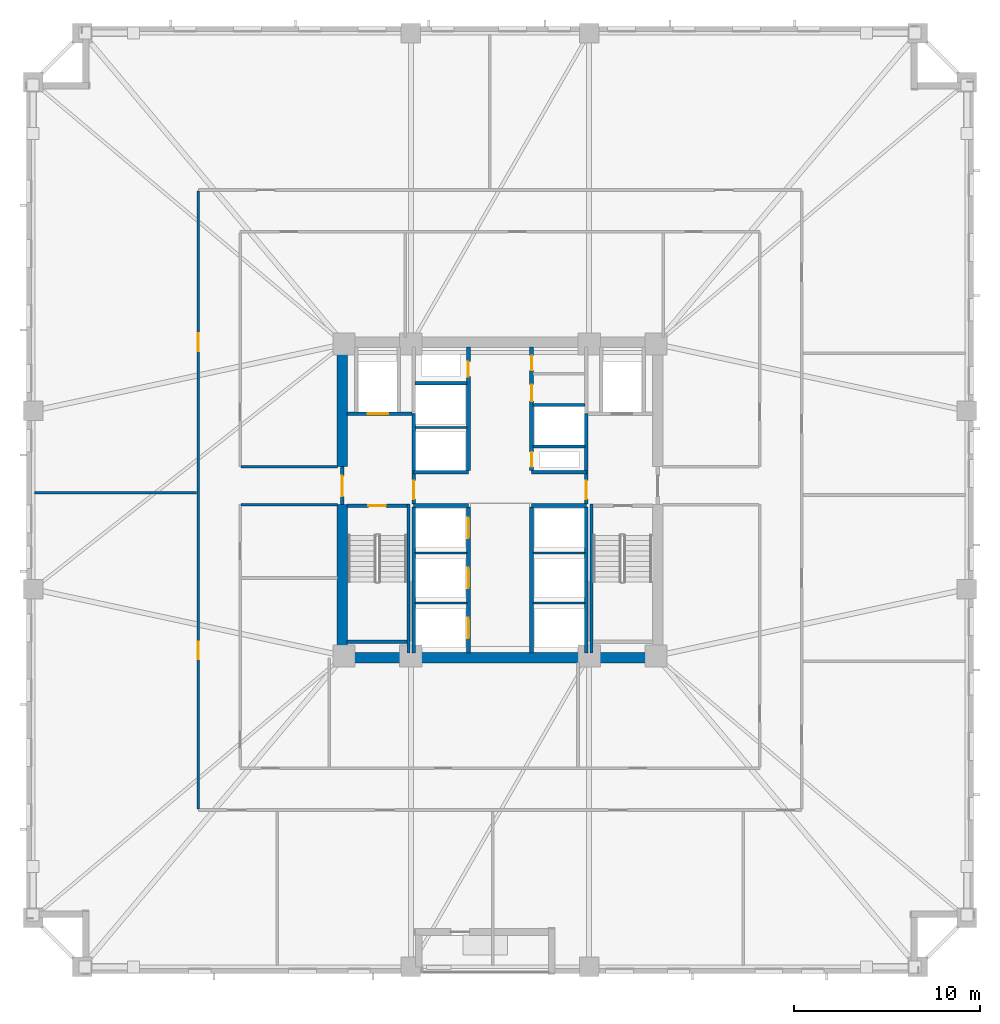
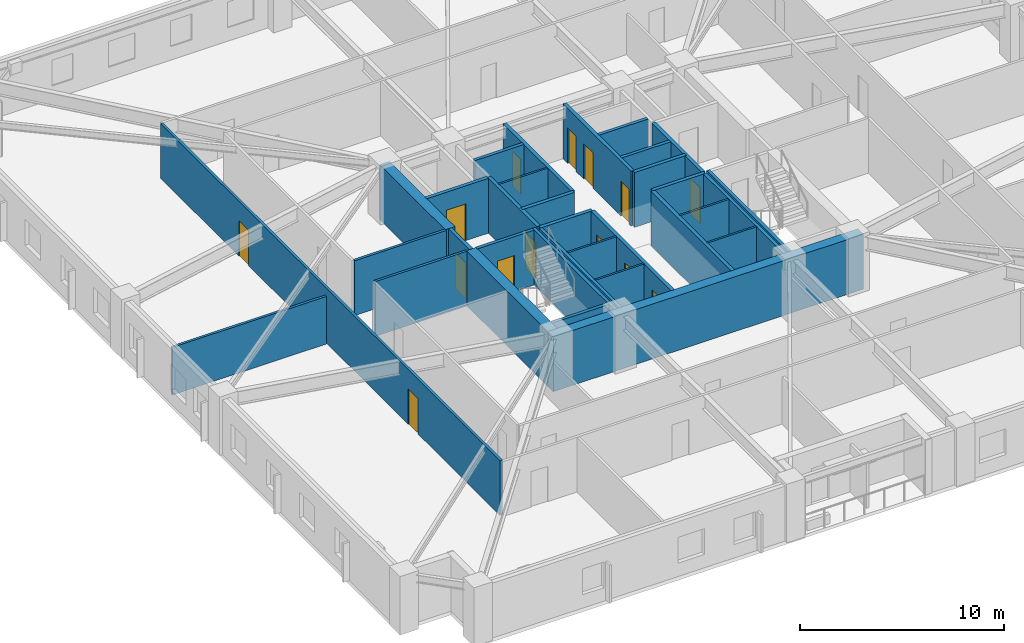
# One storey, part 3 of 11: 33 walls, 14 doors, 14 openings.
"""IFC4 building model written with IfcOpenShell, lengths in metres."""

import ifcopenshell
import ifcopenshell.guid

model = None  # the IFC model being written
_history = None  # IfcOwnerHistory: only IFC2X3 demands one
_inside = {}  # id of a spatial element -> (the spatial element, [elements in it])
_under = {}  # id of a project, library or spatial element -> (it, [spatial elements below it])
_declared = {}  # id of a project -> (the project, [libraries it declares])
_typed = {}  # id of a type object -> (the type object, [elements of that type])
_made_of = {}  # id of a material, layer set ... -> (it, [elements and type objects made of it])


def new_model(schema):
    """Start an empty IFC model of exactly this schema.

    Asked for "IFC4X3", IfcOpenShell would pick the latest addendum, in which some entities
    have other attributes; the version numbers below select the first issue.
    IFC2X3 requires an IfcOwnerHistory on every rooted entity: one is made here for all.
    """
    global model, _history
    if schema == "IFC4X3":
        model = ifcopenshell.file(schema_version=(4, 3, 0, 0))
    else:
        model = ifcopenshell.file(schema=schema)
    _inside.clear()
    _under.clear()
    _declared.clear()
    _typed.clear()
    _made_of.clear()
    _history = None
    if model.schema == "IFC2X3":
        org = make("IfcOrganization", Name="unknown")
        user = make(
            "IfcPersonAndOrganization",
            ThePerson=make("IfcPerson", FamilyName="unknown"),
            TheOrganization=org,
        )
        app = make(
            "IfcApplication",
            ApplicationDeveloper=org,
            Version="unknown",
            ApplicationFullName="unknown",
            ApplicationIdentifier="unknown",
        )
        _history = make(
            "IfcOwnerHistory",
            OwningUser=user,
            OwningApplication=app,
            ChangeAction="ADDED",
            CreationDate=0,
        )
    return model


def make(cls, **values):
    """One entity of the class cls with the attributes given. An attribute that is None is left unset."""
    return model.create_entity(
        cls, **{name: value for name, value in values.items() if value is not None}
    )


def rooted(cls, **values):
    """An entity with a GlobalId (a new one), such as an element, a storey or a relation."""
    return make(cls, GlobalId=ifcopenshell.guid.new(), OwnerHistory=_history, **values)


def si_unit(unit_type, name, prefix=None):
    """IfcSIUnit, for example si_unit("LENGTHUNIT", "METRE", prefix="MILLI")."""
    return make("IfcSIUnit", UnitType=unit_type, Prefix=prefix, Name=name)


def assignment(units):
    """IfcUnitAssignment: the units of a project."""
    return None if units is None else make("IfcUnitAssignment", Units=units)


def point(xyz):
    """IfcCartesianPoint."""
    return None if xyz is None else make("IfcCartesianPoint", Coordinates=xyz)


def direction(xyz):
    """IfcDirection."""
    return None if xyz is None else make("IfcDirection", DirectionRatios=xyz)


def frame(location, z_axis=None, x_axis=None):
    """IfcAxis2Placement3D, a coordinate frame: its origin and axes. An axis left out is left unset."""
    return make(
        "IfcAxis2Placement3D",
        Location=point(location),
        Axis=direction(z_axis),
        RefDirection=direction(x_axis),
    )


def frame_2d(location, x_axis=None):
    """IfcAxis2Placement2D, a coordinate frame in the plane: its origin and x axis."""
    return make(
        "IfcAxis2Placement2D", Location=point(location), RefDirection=direction(x_axis)
    )


def origin():
    """The frame at (0, 0, 0) with its axes left unset."""
    return frame((0.0, 0.0, 0.0))


def place(relative_to, where):
    """IfcLocalPlacement: puts the frame where relative to a parent placement (None: the world)."""
    return make(
        "IfcLocalPlacement", PlacementRelTo=relative_to, RelativePlacement=where
    )


def context(
    kind, dimensions, precision=None, world=None, true_north=None, identifier=None
):
    """IfcGeometricRepresentationContext, for example the 3D "Model" context."""
    return make(
        "IfcGeometricRepresentationContext",
        ContextIdentifier=identifier,
        ContextType=kind,
        CoordinateSpaceDimension=dimensions,
        Precision=precision,
        WorldCoordinateSystem=world,
        TrueNorth=true_north,
    )


def subcontext(parent, identifier, kind, view, scale=None):
    """IfcGeometricRepresentationSubContext, for example "Body" below "Model"."""
    return make(
        "IfcGeometricRepresentationSubContext",
        ContextIdentifier=identifier,
        ContextType=kind,
        ParentContext=parent,
        TargetScale=scale,
        TargetView=view,
    )


def project(units=None, contexts=None):
    """IfcProject with its units and contexts."""
    return rooted(
        "IfcProject",
        Name="project",
        RepresentationContexts=contexts,
        UnitsInContext=assignment(units),
    )


def spatial(cls, under=None, at=None, **own):
    """A site, building, storey or space (cls), placed at a placement, below another one or the project."""
    s = rooted(cls, ObjectPlacement=at, **own)
    if under is not None:
        _under.setdefault(under.id(), (under, []))[1].append(s)
    return s


def profile(cls, at=None, kind="AREA", **sizes):
    """A parametric profile (cls). Its sizes go by their IFC names, for example OverallWidth=200.0."""
    return make(cls, ProfileType=kind, Position=at, **sizes)


def rectangle(**sizes):
    """IfcRectangleProfileDef."""
    return profile("IfcRectangleProfileDef", **sizes)


def extrude(swept, where, along, depth):
    """IfcExtrudedAreaSolid: the profile swept, set in the frame where, extruded along a direction by depth."""
    return make(
        "IfcExtrudedAreaSolid",
        SweptArea=swept,
        Position=where,
        ExtrudedDirection=direction(along),
        Depth=depth,
    )


def shape(context_of_items, identifier, shape_type, items):
    """IfcShapeRepresentation: the items that make up one representation, for example the "Body"."""
    return make(
        "IfcShapeRepresentation",
        ContextOfItems=context_of_items,
        RepresentationIdentifier=identifier,
        RepresentationType=shape_type,
        Items=items,
    )


def material(Name=None, Category=None):
    """IfcMaterial."""
    return make("IfcMaterial", Name=Name, Category=Category)


def layer(
    of_material, thickness, ventilated=None, Name=None, Category=None, Priority=None
):
    """IfcMaterialLayer: one layer of a wall or slab, of a material (None: an air gap)."""
    return make(
        "IfcMaterialLayer",
        Material=of_material,
        LayerThickness=thickness,
        IsVentilated=ventilated,
        Name=Name,
        Category=Category,
        Priority=Priority,
    )


def layer_set(layers, Name=None):
    """IfcMaterialLayerSet."""
    return make("IfcMaterialLayerSet", MaterialLayers=layers, LayerSetName=Name)


def made_of(thing, what):
    """Note that an element or type object is made of a material, layer set ...; save() writes the relation."""
    if what is not None:
        _made_of.setdefault(what.id(), (what, []))[1].append(thing)
    return thing


def type_object(cls, material=None, **own):
    """A type object (cls), such as IfcWallType, which elements share."""
    return made_of(rooted(cls, **own), material)


def element(
    cls,
    number,
    at=None,
    inside=None,
    cuts=None,
    type_object=None,
    material=None,
    context=None,
    identifier="Body",
    shape_type=None,
    held_by="IfcProductDefinitionShape",
    body=None,
    shapes=None,
    **own,
):
    """One element of the class cls, such as IfcWall. Its Tag is "e" and its number.

    at: its placement. inside: the storey or other place that contains it. cuts: it is an
    opening in that element (IfcRelVoidsElement). A single representation is given by context,
    identifier, shape_type and body (its items); several are given by shapes. held_by: the class
    of the entity that holds the representations. save() writes the other relations.
    """
    e = rooted(cls, Tag="e%d" % number, ObjectPlacement=at, **own)
    if body is not None:
        shapes = [shape(context, identifier, shape_type, body)]
    if shapes is not None:
        e.Representation = make(held_by, Representations=shapes)
    if inside is not None:
        _inside.setdefault(inside.id(), (inside, []))[1].append(e)
    if cuts is not None:
        rooted(
            "IfcRelVoidsElement", RelatingBuildingElement=cuts, RelatedOpeningElement=e
        )
    if type_object is not None:
        _typed.setdefault(type_object.id(), (type_object, []))[1].append(e)
    return made_of(e, material)


def fill(opening, filler):
    """IfcRelFillsElement: the door or window that sits in an opening."""
    return rooted(
        "IfcRelFillsElement",
        RelatingOpeningElement=opening,
        RelatedBuildingElement=filler,
    )


def aggregate(whole, parts):
    """IfcRelAggregates: a whole, such as a stair, and the parts it consists of."""
    return rooted("IfcRelAggregates", RelatingObject=whole, RelatedObjects=parts)


def save(model, path):
    """Write the relations noted so far, then the file.

    IfcRelAggregates (storeys below a building ...), IfcRelContainedInSpatialStructure (elements
    in a storey), IfcRelDefinesByType, IfcRelAssociatesMaterial and IfcRelDeclares: one each for
    every whole, place, type object, material and project.
    """
    for whole, parts in _under.values():
        aggregate(whole, parts)
    for where, things in _inside.values():
        rooted(
            "IfcRelContainedInSpatialStructure",
            RelatedElements=things,
            RelatingStructure=where,
        )
    for kind, things in _typed.values():
        rooted("IfcRelDefinesByType", RelatedObjects=things, RelatingType=kind)
    for what, things in _made_of.values():
        rooted("IfcRelAssociatesMaterial", RelatedObjects=things, RelatingMaterial=what)
    for by, libraries in _declared.values():
        rooted("IfcRelDeclares", RelatingContext=by, RelatedDefinitions=libraries)
    model.write(path)


model = new_model("IFC4")

# Units and contexts
model_context = context("Model", 3, precision=1e-05, world=origin(), true_north=direction((0.0, 1.0)))
body_context = subcontext(model_context, "Body", "Model", "MODEL_VIEW")
ifc_project = project(units=[si_unit("LENGTHUNIT", "METRE"), si_unit("AREAUNIT", "SQUARE_METRE"), si_unit("VOLUMEUNIT", "CUBIC_METRE"), si_unit("PLANEANGLEUNIT", "RADIAN"), si_unit("MASSUNIT", "GRAM", prefix="KILO")], contexts=[model_context])

# Site, building, storey
site_placement = place(None, origin())
site = spatial("IfcSite", under=ifc_project, at=site_placement, CompositionType="ELEMENT")
building_placement = place(site_placement, origin())
building = spatial("IfcBuilding", under=site, at=building_placement, Name="Cairnveth Concourse Tower", CompositionType="ELEMENT")
storey_placement = place(building_placement, frame((0.0, 0.0, 34.0)))
storey = spatial("IfcBuildingStorey", under=building, at=storey_placement, Name="L08", CompositionType="ELEMENT", Elevation=34.0)

# Walls
ifc_material_1 = material(Name="Concrete N80 (80 MPa)", Category="concrete")
ifc_layer_1 = layer(ifc_material_1, 0.550048828125)
ifc_layer_set_1 = layer_set([ifc_layer_1], Name="Concrete N80 (80 MPa)")
wall_type_1 = type_object("IfcWallType", Name="CORE SHEAR WALL 550", PredefinedType="SHEAR", material=ifc_layer_set_1)
wall_1_placement = place(storey_placement, frame((43.22509765625, 30.5, 0.0), z_axis=(0.0, 0.0, 1.0), x_axis=(1.0, 0.0, 0.0)))
element("IfcWall", 1, at=wall_1_placement, inside=storey, type_object=wall_type_1, Name="Core South Shear Wall L08", PredefinedType="SHEAR", context=body_context, shape_type="SweptSolid", body=[
    extrude(rectangle(XDim=17.5498046875, YDim=0.550048828125, at=frame_2d((8.77490234375, 0.0))), origin(), (0.0, 0.0, 1.0), 3.280029296875),
])
wall_2_placement = place(storey_placement, frame((43.5, 30.764892578125, 0.0), z_axis=(0.0, 0.0, 1.0), x_axis=(0.0, 1.0, 0.0)))
element("IfcWall", 2, at=wall_2_placement, inside=storey, type_object=wall_type_1, Name="Core West Shear Wall S L08", PredefinedType="SHEAR", context=body_context, shape_type="SweptSolid", body=[
    extrude(rectangle(XDim=7.985107421875, YDim=0.550048828125, at=frame_2d((3.99267578125, 0.0))), origin(), (0.0, 0.0, 1.0), 3.280029296875),
])
wall_3_placement = place(storey_placement, frame((43.5, 40.800048828125, 0.0), z_axis=(0.0, 0.0, 1.0), x_axis=(0.0, 1.0, 0.0)))
element("IfcWall", 3, at=wall_3_placement, inside=storey, type_object=wall_type_1, Name="Core West Shear Wall N L08", PredefinedType="SHEAR", context=body_context, shape_type="SweptSolid", body=[
    extrude(rectangle(XDim=6.43505859375, YDim=0.550048828125, at=frame_2d((3.217529296875, 0.0))), origin(), (0.0, 0.0, 1.0), 3.280029296875),
])
ifc_material_2 = material(Name="Concrete N50 (50 MPa)", Category="concrete")
ifc_layer_2 = layer(ifc_material_2, 0.179931640625)
ifc_layer_set_2 = layer_set([ifc_layer_2], Name="Concrete N50 (50 MPa)")
wall_type_2 = type_object("IfcWallType", Name="FIRE SHAFT WALL 180", PredefinedType="SOLIDWALL", material=ifc_layer_set_2)
for number, where, z_axis, x_axis, name in (
    (4, (47.35009765625, 30.760009765625, 0.0), (0.0, 0.0, 1.0), (0.0, 1.0, 0.0), "Interior Wall IW-L08-025"),
    (5, (56.64990234375, 30.760009765625, 0.0), (0.0, 0.0, 1.0), (0.0, 1.0, 0.0), "Interior Wall IW-L08-028"),
):
    element("IfcWall", number, at=place(storey_placement, frame(where, z_axis=z_axis, x_axis=x_axis)), inside=storey, type_object=wall_type_2, Name=name, PredefinedType="SOLIDWALL", context=body_context, shape_type="SweptSolid", body=[
        extrude(rectangle(XDim=7.85498046875, YDim=0.179931640625, at=frame_2d((3.927490234375, 0.0))), origin(), (0.0, 0.0, 1.0), 3.280029296875),
    ])
wall_4_placement = place(storey_placement, frame((47.425048828125, 45.280029296875, 0.0), z_axis=(0.0, 0.0, 1.0), x_axis=(1.0, 0.0, 0.0)))
element("IfcWall", 6, at=wall_4_placement, inside=storey, type_object=wall_type_2, Name="Interior Wall IW-L08-033", PredefinedType="SOLIDWALL", context=body_context, shape_type="SweptSolid", body=[
    extrude(rectangle(XDim=2.7900390625, YDim=0.179931640625, at=frame_2d((1.39501953125, 0.0))), origin(), (0.0, 0.0, 1.0), 3.280029296875),
])
wall_5_placement = place(storey_placement, frame((53.784912109375, 41.8798828125, 0.0), z_axis=(0.0, 0.0, 1.0), x_axis=(1.0, 0.0, 0.0)))
element("IfcWall", 7, at=wall_5_placement, inside=storey, type_object=wall_type_2, Name="Interior Wall IW-L08-035", PredefinedType="SOLIDWALL", context=body_context, shape_type="SweptSolid", body=[
    extrude(rectangle(XDim=2.780029296875, YDim=0.179931640625, at=frame_2d((1.39013671875, 0.0))), origin(), (0.0, 0.0, 1.0), 3.280029296875),
])
wall_6_placement = place(storey_placement, frame((53.784912109375, 44.1201171875, 0.0), z_axis=(0.0, 0.0, 1.0), x_axis=(1.0, 0.0, 0.0)))
element("IfcWall", 8, at=wall_6_placement, inside=storey, type_object=wall_type_2, Name="Interior Wall IW-L08-036", PredefinedType="SOLIDWALL", context=body_context, shape_type="SweptSolid", body=[
    extrude(rectangle(XDim=2.7900390625, YDim=0.179931640625, at=frame_2d((1.39501953125, 0.0))), origin(), (0.0, 0.0, 1.0), 3.280029296875),
])

# Wall, opening, door
wall_7_placement = place(storey_placement, frame((43.764892578125, 38.68994140625, 0.0), z_axis=(0.0, 0.0, 1.0), x_axis=(1.0, 0.0, 0.0)))
wall_7 = element("IfcWall", 9, at=wall_7_placement, inside=storey, type_object=wall_type_2, Name="Stair ST-1 Shaft Wall NEAR L08", PredefinedType="SOLIDWALL", context=body_context, shape_type="SweptSolid", body=[
    extrude(rectangle(XDim=3.230224609375, YDim=0.179931640625, at=frame_2d((1.615234375, 0.0))), origin(), (0.0, 0.0, 1.0), 3.280029296875),
])
opening_1_placement = place(wall_7_placement, frame((1.139892578125, 0.0, 0.0)))
opening_1 = element("IfcOpeningElement", 10, at=opening_1_placement, cuts=wall_7, Name="Opening ID12", PredefinedType="OPENING", context=body_context, shape_type="SweptSolid", body=[
    extrude(rectangle(XDim=0.949951171875, YDim=2.14990234375, at=frame_2d((0.47509765625, 1.074951171875))), frame((0.0, 0.099853515625, 0.0), z_axis=(0.0, -1.0, 0.0), x_axis=(1.0, 0.0, 0.0)), (0.0, 0.0, 1.0), 0.199951171875),
])
ifc_material_3 = material(Name="Steel Grade 350", Category="steel")
door_type_1 = type_object("IfcDoorType", Name="FIRE STAIR DOOR 950X2150", OperationType="NOTDEFINED", PredefinedType="DOOR", material=ifc_material_3)
door_1_placement = place(opening_1_placement, origin())
door_1 = element("IfcDoor", 11, at=door_1_placement, inside=storey, type_object=door_type_1, Name="Stair ST-1 Fire Door L08", OperationType="SINGLE_SWING_LEFT", OverallHeight=2.14990234375, OverallWidth=0.949951171875, PredefinedType="DOOR", context=body_context, shape_type="SweptSolid", body=[
    extrude(rectangle(XDim=0.949951171875, YDim=2.14990234375, at=frame_2d((0.47509765625, 1.074951171875))), frame((0.0, 0.02490234375, 0.0), z_axis=(0.0, -1.0, 0.0), x_axis=(1.0, 0.0, 0.0)), (0.0, 0.0, 1.0), 0.050048828125),
])
fill(opening_1, door_1)

# Walls
wall_8_placement = place(storey_placement, frame((43.764892578125, 31.360107421875, 0.0), z_axis=(0.0, 0.0, 1.0), x_axis=(1.0, 0.0, 0.0)))
element("IfcWall", 12, at=wall_8_placement, inside=storey, type_object=wall_type_2, Name="Stair ST-1 Shaft Wall FAR L08", PredefinedType="SOLIDWALL", context=body_context, shape_type="SweptSolid", body=[
    extrude(rectangle(XDim=3.230224609375, YDim=0.179931640625, at=frame_2d((1.615234375, 0.0))), origin(), (0.0, 0.0, 1.0), 3.280029296875),
])
for number, where, z_axis, x_axis, name in (
    (13, (47.070068359375, 38.780029296875, 0.0), (0.0, 0.0, 1.0), (0.0, -1.0, 0.0), "Stair ST-1 Shaft Wall RGHT L08"),
    (14, (56.929931640625, 38.780029296875, 0.0), (0.0, 0.0, 1.0), (0.0, -1.0, 0.0), "Stair ST-2 Shaft Wall LEFT L08"),
):
    element("IfcWall", number, at=place(storey_placement, frame(where, z_axis=z_axis, x_axis=x_axis)), inside=storey, type_object=wall_type_2, Name=name, PredefinedType="SOLIDWALL", context=body_context, shape_type="SweptSolid", body=[
        extrude(rectangle(XDim=8.01708984375, YDim=0.179931640625, at=frame_2d((4.008544921875, 0.0))), origin(), (0.0, 0.0, 1.0), 3.280029296875),
    ])
ifc_layer_3 = layer(ifc_material_2, 0.199951171875)
ifc_layer_set_3 = layer_set([ifc_layer_3], Name="Concrete N50 (50 MPa)")
wall_type_3 = type_object("IfcWallType", Name="FIRE SHAFT WALL 200", PredefinedType="SOLIDWALL", material=ifc_layer_set_3)
for number, where, z_axis, x_axis, name in (
    (15, (47.35009765625, 38.699951171875, 0.0), (0.0, 0.0, 1.0), (1.0, 0.0, 0.0), "Interior Wall IW-L08-007"),
    (16, (47.35009765625, 40.5, 0.0), (0.0, 0.0, 1.0), (1.0, 0.0, 0.0), "Interior Wall IW-L08-008"),
    (17, (53.699951171875, 38.699951171875, 0.0), (0.0, 0.0, 1.0), (1.0, 0.0, 0.0), "Interior Wall IW-L08-009"),
    (18, (53.699951171875, 40.5, 0.0), (0.0, 0.0, 1.0), (1.0, 0.0, 0.0), "Interior Wall IW-L08-010"),
):
    element("IfcWall", number, at=place(storey_placement, frame(where, z_axis=z_axis, x_axis=x_axis)), inside=storey, type_object=wall_type_3, Name=name, PredefinedType="SOLIDWALL", context=body_context, shape_type="SweptSolid", body=[
        extrude(rectangle(XDim=2.949951171875, YDim=0.199951171875, at=frame_2d((1.47509765625, 0.0))), origin(), (0.0, 0.0, 1.0), 3.280029296875),
    ])

# Wall, openings, doors
wall_9_placement = place(storey_placement, frame((50.300048828125, 30.760009765625, 0.0), z_axis=(0.0, 0.0, 1.0), x_axis=(0.0, 1.0, 0.0)))
wall_9 = element("IfcWall", 19, at=wall_9_placement, inside=storey, type_object=wall_type_3, Name="Interior Wall IW-L08-011", PredefinedType="SOLIDWALL", context=body_context, shape_type="SweptSolid", body=[
    extrude(rectangle(XDim=7.85498046875, YDim=0.199951171875, at=frame_2d((3.927490234375, 0.0))), origin(), (0.0, 0.0, 1.0), 3.280029296875),
])
opening_2_placement = place(wall_9_placement, frame((0.7900390625, 0.0, 0.0)))
opening_2 = element("IfcOpeningElement", 20, at=opening_2_placement, cuts=wall_9, Name="Opening LD-1", PredefinedType="OPENING", context=body_context, shape_type="SweptSolid", body=[
    extrude(rectangle(XDim=1.10009765625, YDim=2.199951171875, at=frame_2d((0.550048828125, 1.10009765625))), frame((0.0, 0.10986328125, 0.0), z_axis=(0.0, -1.0, 0.0), x_axis=(1.0, 0.0, 0.0)), (0.0, 0.0, 1.0), 0.219970703125),
])
opening_3_placement = place(wall_9_placement, frame((3.489990234375, 0.0, 0.0)))
opening_3 = element("IfcOpeningElement", 21, at=opening_3_placement, cuts=wall_9, Name="Opening LD-1", PredefinedType="OPENING", context=body_context, shape_type="SweptSolid", body=[
    extrude(rectangle(XDim=1.10009765625, YDim=2.199951171875, at=frame_2d((0.550048828125, 1.10009765625))), frame((0.0, 0.10986328125, 0.0), z_axis=(0.0, -1.0, 0.0), x_axis=(1.0, 0.0, 0.0)), (0.0, 0.0, 1.0), 0.219970703125),
])
opening_4_placement = place(wall_9_placement, frame((6.18994140625, 0.0, 0.0)))
opening_4 = element("IfcOpeningElement", 22, at=opening_4_placement, cuts=wall_9, Name="Opening LD-1", PredefinedType="OPENING", context=body_context, shape_type="SweptSolid", body=[
    extrude(rectangle(XDim=1.10009765625, YDim=2.199951171875, at=frame_2d((0.550048828125, 1.10009765625))), frame((0.0, 0.10986328125, 0.0), z_axis=(0.0, -1.0, 0.0), x_axis=(1.0, 0.0, 0.0)), (0.0, 0.0, 1.0), 0.219970703125),
])
ifc_material_4 = material(Name="Architectural Bronze Anodised Aluminium 6063-T6", Category="aluminium")
door_type_2 = type_object("IfcDoorType", Name="LIFT LANDING DOOR 1100X2200", OperationType="SLIDING_TO_LEFT", PredefinedType="DOOR", material=ifc_material_4)
door_2_placement = place(opening_2_placement, origin())
door_2 = element("IfcDoor", 23, at=door_2_placement, inside=storey, type_object=door_type_2, Name="Lift PL1 Landing Door L08", OperationType="SLIDING_TO_LEFT", OverallHeight=2.199951171875, OverallWidth=1.10009765625, PredefinedType="DOOR", context=body_context, shape_type="SweptSolid", body=[
    extrude(rectangle(XDim=1.10009765625, YDim=2.199951171875, at=frame_2d((0.550048828125, 1.10009765625))), frame((0.0, 0.02490234375, 0.0), z_axis=(0.0, -1.0, 0.0), x_axis=(1.0, 0.0, 0.0)), (0.0, 0.0, 1.0), 0.050048828125),
])
fill(opening_2, door_2)
door_3_placement = place(opening_3_placement, origin())
door_3 = element("IfcDoor", 24, at=door_3_placement, inside=storey, type_object=door_type_2, Name="Lift PL2 Landing Door L08", OperationType="SLIDING_TO_LEFT", OverallHeight=2.199951171875, OverallWidth=1.10009765625, PredefinedType="DOOR", context=body_context, shape_type="SweptSolid", body=[
    extrude(rectangle(XDim=1.10009765625, YDim=2.199951171875, at=frame_2d((0.550048828125, 1.10009765625))), frame((0.0, 0.02490234375, 0.0), z_axis=(0.0, -1.0, 0.0), x_axis=(1.0, 0.0, 0.0)), (0.0, 0.0, 1.0), 0.050048828125),
])
fill(opening_3, door_3)
door_4_placement = place(opening_4_placement, origin())
door_4 = element("IfcDoor", 25, at=door_4_placement, inside=storey, type_object=door_type_2, Name="Lift PL3 Landing Door L08", OperationType="SLIDING_TO_LEFT", OverallHeight=2.199951171875, OverallWidth=1.10009765625, PredefinedType="DOOR", context=body_context, shape_type="SweptSolid", body=[
    extrude(rectangle(XDim=1.10009765625, YDim=2.199951171875, at=frame_2d((0.550048828125, 1.10009765625))), frame((0.0, 0.02490234375, 0.0), z_axis=(0.0, -1.0, 0.0), x_axis=(1.0, 0.0, 0.0)), (0.0, 0.0, 1.0), 0.050048828125),
])
fill(opening_4, door_4)

# Wall
wall_10_placement = place(storey_placement, frame((53.699951171875, 30.760009765625, 0.0), z_axis=(0.0, 0.0, 1.0), x_axis=(0.0, 1.0, 0.0)))
element("IfcWall", 26, at=wall_10_placement, inside=storey, type_object=wall_type_3, Name="Interior Wall IW-L08-012", PredefinedType="SOLIDWALL", context=body_context, shape_type="SweptSolid", body=[
    extrude(rectangle(XDim=7.85498046875, YDim=0.199951171875, at=frame_2d((3.927490234375, 0.0))), origin(), (0.0, 0.0, 1.0), 3.280029296875),
])

# Wall, opening, door
wall_11_placement = place(storey_placement, frame((50.300048828125, 40.5849609375, 0.0), z_axis=(0.0, 0.0, 1.0), x_axis=(0.0, 1.0, 0.0)))
wall_11 = element("IfcWall", 27, at=wall_11_placement, inside=storey, type_object=wall_type_3, Name="Interior Wall IW-L08-013", PredefinedType="SOLIDWALL", context=body_context, shape_type="SweptSolid", body=[
    extrude(rectangle(XDim=6.655029296875, YDim=0.199951171875, at=frame_2d((3.32763671875, 0.0))), origin(), (0.0, 0.0, 1.0), 3.280029296875),
])
opening_5_placement = place(wall_11_placement, frame((5.06494140625, 0.0, 0.0)))
opening_5 = element("IfcOpeningElement", 28, at=opening_5_placement, cuts=wall_11, Name="Opening ID24", PredefinedType="OPENING", context=body_context, shape_type="SweptSolid", body=[
    extrude(rectangle(XDim=0.800048828125, YDim=2.080078125, at=frame_2d((0.39990234375, 1.0400390625))), frame((0.0, 0.10986328125, 0.0), z_axis=(0.0, -1.0, 0.0), x_axis=(1.0, 0.0, 0.0)), (0.0, 0.0, 1.0), 0.219970703125),
])
door_type_3 = type_object("IfcDoorType", Name="RISER ACCESS DOOR 800X2100", OperationType="NOTDEFINED", PredefinedType="DOOR", material=ifc_material_3)
door_5_placement = place(opening_5_placement, origin())
door_5 = element("IfcDoor", 29, at=door_5_placement, inside=storey, type_object=door_type_3, Name="NW Electrical Riser Access Door L08", OperationType="SINGLE_SWING_RIGHT", OverallHeight=2.080078125, OverallWidth=0.800048828125, PredefinedType="DOOR", context=body_context, shape_type="SweptSolid", body=[
    extrude(rectangle(XDim=0.800048828125, YDim=2.080078125, at=frame_2d((0.39990234375, 1.0400390625))), frame((0.0, 0.02490234375, 0.0), z_axis=(0.0, -1.0, 0.0), x_axis=(1.0, 0.0, 0.0)), (0.0, 0.0, 1.0), 0.050048828125),
])
fill(opening_5, door_5)

# Wall, openings, doors
wall_12_placement = place(storey_placement, frame((53.699951171875, 40.5849609375, 0.0), z_axis=(0.0, 0.0, 1.0), x_axis=(0.0, 1.0, 0.0)))
wall_12 = element("IfcWall", 30, at=wall_12_placement, inside=storey, type_object=wall_type_3, Name="Interior Wall IW-L08-014", PredefinedType="SOLIDWALL", context=body_context, shape_type="SweptSolid", body=[
    extrude(rectangle(XDim=6.655029296875, YDim=0.199951171875, at=frame_2d((3.32763671875, 0.0))), origin(), (0.0, 0.0, 1.0), 3.280029296875),
])
opening_6_placement = place(wall_12_placement, frame((0.195068359375, 0.0, 0.0)))
opening_6 = element("IfcOpeningElement", 31, at=opening_6_placement, cuts=wall_12, Name="Opening ID24", PredefinedType="OPENING", context=body_context, shape_type="SweptSolid", body=[
    extrude(rectangle(XDim=0.800048828125, YDim=2.080078125, at=frame_2d((0.39990234375, 1.0400390625))), frame((0.0, 0.10986328125, 0.0), z_axis=(0.0, -1.0, 0.0), x_axis=(1.0, 0.0, 0.0)), (0.0, 0.0, 1.0), 0.219970703125),
])
opening_7_placement = place(wall_12_placement, frame((3.735107421875, 0.0, 0.0)))
opening_7 = element("IfcOpeningElement", 32, at=opening_7_placement, cuts=wall_12, Name="Opening ID26", PredefinedType="OPENING", context=body_context, shape_type="SweptSolid", body=[
    extrude(rectangle(XDim=0.89990234375, YDim=2.1201171875, at=frame_2d((0.449951171875, 1.06005859375))), frame((0.0, 0.10986328125, 0.0), z_axis=(0.0, -1.0, 0.0), x_axis=(1.0, 0.0, 0.0)), (0.0, 0.0, 1.0), 0.219970703125),
])
opening_8_placement = place(wall_12_placement, frame((5.39501953125, 0.0, 0.0)))
opening_8 = element("IfcOpeningElement", 33, at=opening_8_placement, cuts=wall_12, Name="Opening ID23", PredefinedType="OPENING", context=body_context, shape_type="SweptSolid", body=[
    extrude(rectangle(XDim=0.800048828125, YDim=2.10009765625, at=frame_2d((0.39990234375, 1.050048828125))), frame((0.0, 0.10986328125, 0.0), z_axis=(0.0, -1.0, 0.0), x_axis=(1.0, 0.0, 0.0)), (0.0, 0.0, 1.0), 0.219970703125),
])
door_type_4 = type_object("IfcDoorType", Name="CORE SERVICE DOOR 800X2100", OperationType="NOTDEFINED", PredefinedType="DOOR", material=ifc_material_3)
door_6_placement = place(opening_8_placement, origin())
door_6 = element("IfcDoor", 34, at=door_6_placement, inside=storey, type_object=door_type_4, Name="Core NE Cleaners Door L08", OperationType="SINGLE_SWING_LEFT", OverallHeight=2.10009765625, OverallWidth=0.800048828125, PredefinedType="DOOR", context=body_context, shape_type="SweptSolid", body=[
    extrude(rectangle(XDim=0.800048828125, YDim=2.10009765625, at=frame_2d((0.39990234375, 1.050048828125))), frame((0.0, 0.02490234375, 0.0), z_axis=(0.0, -1.0, 0.0), x_axis=(1.0, 0.0, 0.0)), (0.0, 0.0, 1.0), 0.050048828125),
])
fill(opening_8, door_6)
door_type_5 = type_object("IfcDoorType", Name="CORE TOILET FIRE DOOR 900X2120", OperationType="NOTDEFINED", PredefinedType="DOOR", material=ifc_material_3)
door_7_placement = place(opening_7_placement, origin())
door_7 = element("IfcDoor", 35, at=door_7_placement, inside=storey, type_object=door_type_5, Name="Core NE Unisex WC Door L08", OperationType="SINGLE_SWING_RIGHT", OverallHeight=2.1201171875, OverallWidth=0.89990234375, PredefinedType="DOOR", context=body_context, shape_type="SweptSolid", body=[
    extrude(rectangle(XDim=0.89990234375, YDim=2.1201171875, at=frame_2d((0.449951171875, 1.06005859375))), frame((0.0, 0.02490234375, 0.0), z_axis=(0.0, -1.0, 0.0), x_axis=(1.0, 0.0, 0.0)), (0.0, 0.0, 1.0), 0.050048828125),
])
fill(opening_7, door_7)
door_8_placement = place(opening_6_placement, origin())
door_8 = element("IfcDoor", 36, at=door_8_placement, inside=storey, type_object=door_type_3, Name="Hydraulic Riser Door L08", OperationType="SINGLE_SWING_LEFT", OverallHeight=2.080078125, OverallWidth=0.800048828125, PredefinedType="DOOR", context=body_context, shape_type="SweptSolid", body=[
    extrude(rectangle(XDim=0.800048828125, YDim=2.080078125, at=frame_2d((0.39990234375, 1.0400390625))), frame((0.0, 0.02490234375, 0.0), z_axis=(0.0, -1.0, 0.0), x_axis=(1.0, 0.0, 0.0)), (0.0, 0.0, 1.0), 0.050048828125),
])
fill(opening_6, door_8)

# Wall, opening, door
wall_13_placement = place(storey_placement, frame((43.5, 38.75, 0.0), z_axis=(0.0, 0.0, 1.0), x_axis=(0.0, 1.0, 0.0)))
wall_13 = element("IfcWall", 37, at=wall_13_placement, inside=storey, type_object=wall_type_3, Name="Interior Wall IW-L08-015", PredefinedType="SOLIDWALL", context=body_context, shape_type="SweptSolid", body=[
    extrude(rectangle(XDim=2.050048828125, YDim=0.199951171875, at=frame_2d((1.02490234375, 0.0))), origin(), (0.0, 0.0, 1.0), 3.280029296875),
])
opening_9_placement = place(wall_13_placement, frame((0.449951171875, 0.0, 0.0)))
opening_9 = element("IfcOpeningElement", 38, at=opening_9_placement, cuts=wall_13, Name="Opening ID06", PredefinedType="OPENING", context=body_context, shape_type="SweptSolid", body=[
    extrude(rectangle(XDim=1.10009765625, YDim=2.14990234375, at=frame_2d((0.550048828125, 1.074951171875))), frame((0.0, 0.10986328125, 0.0), z_axis=(0.0, -1.0, 0.0), x_axis=(1.0, 0.0, 0.0)), (0.0, 0.0, 1.0), 0.219970703125),
])
door_type_6 = type_object("IfcDoorType", Name="FIRE CORRIDOR DOOR 1100X2150", OperationType="NOTDEFINED", PredefinedType="DOOR", material=ifc_material_3)
door_9_placement = place(opening_9_placement, origin())
door_9 = element("IfcDoor", 39, at=door_9_placement, inside=storey, type_object=door_type_6, Name="West Wing to FF Lobby Door L08", OperationType="SINGLE_SWING_LEFT", OverallHeight=2.14990234375, OverallWidth=1.10009765625, PredefinedType="DOOR", context=body_context, shape_type="SweptSolid", body=[
    extrude(rectangle(XDim=1.10009765625, YDim=2.14990234375, at=frame_2d((0.550048828125, 1.074951171875))), frame((0.0, 0.02490234375, 0.0), z_axis=(0.0, -1.0, 0.0), x_axis=(1.0, 0.0, 0.0)), (0.0, 0.0, 1.0), 0.050048828125),
])
fill(opening_9, door_9)

wall_14_placement = place(storey_placement, frame((47.35009765625, 38.784912109375, 0.0), z_axis=(0.0, 0.0, 1.0), x_axis=(0.0, 1.0, 0.0)))
wall_14 = element("IfcWall", 40, at=wall_14_placement, inside=storey, type_object=wall_type_3, Name="Interior Wall IW-L08-016", PredefinedType="SOLIDWALL", context=body_context, shape_type="SweptSolid", body=[
    extrude(rectangle(XDim=4.864990234375, YDim=0.199951171875, at=frame_2d((2.4326171875, 0.0))), origin(), (0.0, 0.0, 1.0), 3.280029296875),
])
opening_10_placement = place(wall_14_placement, frame((0.264892578125, 0.0, 0.0)))
opening_10 = element("IfcOpeningElement", 41, at=opening_10_placement, cuts=wall_14, Name="Opening ID07", PredefinedType="OPENING", context=body_context, shape_type="SweptSolid", body=[
    extrude(rectangle(XDim=1.0, YDim=2.14990234375, at=frame_2d((0.5, 1.074951171875))), frame((0.0, 0.10986328125, 0.0), z_axis=(0.0, -1.0, 0.0), x_axis=(1.0, 0.0, 0.0)), (0.0, 0.0, 1.0), 0.219970703125),
])
door_type_7 = type_object("IfcDoorType", Name="FIRE CORRIDOR DOOR 1000X2150", OperationType="NOTDEFINED", PredefinedType="DOOR", material=ifc_material_3)
door_10_placement = place(opening_10_placement, origin())
door_10 = element("IfcDoor", 42, at=door_10_placement, inside=storey, type_object=door_type_7, Name="FF Lobby West to Lift Lobby Door L08", OperationType="SINGLE_SWING_RIGHT", OverallHeight=2.14990234375, OverallWidth=1.0, PredefinedType="DOOR", context=body_context, shape_type="SweptSolid", body=[
    extrude(rectangle(XDim=1.0, YDim=2.14990234375, at=frame_2d((0.5, 1.074951171875))), frame((0.0, 0.02490234375, 0.0), z_axis=(0.0, -1.0, 0.0), x_axis=(1.0, 0.0, 0.0)), (0.0, 0.0, 1.0), 0.050048828125),
])
fill(opening_10, door_10)

wall_15_placement = place(storey_placement, frame((43.760009765625, 43.64990234375, 0.0), z_axis=(0.0, 0.0, 1.0), x_axis=(1.0, 0.0, 0.0)))
wall_15 = element("IfcWall", 43, at=wall_15_placement, inside=storey, type_object=wall_type_3, Name="Interior Wall IW-L08-017", PredefinedType="SOLIDWALL", context=body_context, shape_type="SweptSolid", body=[
    extrude(rectangle(XDim=3.5048828125, YDim=0.199951171875, at=frame_2d((1.75244140625, 0.0))), origin(), (0.0, 0.0, 1.0), 3.280029296875),
])
opening_11_placement = place(wall_15_placement, frame((1.110107421875, 0.0, 0.0)))
opening_11 = element("IfcOpeningElement", 44, at=opening_11_placement, cuts=wall_15, Name="Opening LD-1", PredefinedType="OPENING", context=body_context, shape_type="SweptSolid", body=[
    extrude(rectangle(XDim=1.10009765625, YDim=2.199951171875, at=frame_2d((0.550048828125, 1.10009765625))), frame((0.0, 0.10986328125, 0.0), z_axis=(0.0, -1.0, 0.0), x_axis=(1.0, 0.0, 0.0)), (0.0, 0.0, 1.0), 0.219970703125),
])
door_11_placement = place(opening_11_placement, origin())
door_11 = element("IfcDoor", 45, at=door_11_placement, inside=storey, type_object=door_type_2, Name="Lift FFL1 Landing Door L08", OperationType="SLIDING_TO_LEFT", OverallHeight=2.199951171875, OverallWidth=1.10009765625, PredefinedType="DOOR", context=body_context, shape_type="SweptSolid", body=[
    extrude(rectangle(XDim=1.10009765625, YDim=2.199951171875, at=frame_2d((0.550048828125, 1.10009765625))), frame((0.0, 0.02490234375, 0.0), z_axis=(0.0, -1.0, 0.0), x_axis=(1.0, 0.0, 0.0)), (0.0, 0.0, 1.0), 0.050048828125),
])
fill(opening_11, door_11)

wall_16_placement = place(storey_placement, frame((56.64990234375, 38.784912109375, 0.0), z_axis=(0.0, 0.0, 1.0), x_axis=(0.0, 1.0, 0.0)))
wall_16 = element("IfcWall", 46, at=wall_16_placement, inside=storey, type_object=wall_type_3, Name="Interior Wall IW-L08-021", PredefinedType="SOLIDWALL", context=body_context, shape_type="SweptSolid", body=[
    extrude(rectangle(XDim=4.864990234375, YDim=0.199951171875, at=frame_2d((2.4326171875, 0.0))), origin(), (0.0, 0.0, 1.0), 3.280029296875),
])
opening_12_placement = place(wall_16_placement, frame((0.264892578125, 0.0, 0.0)))
opening_12 = element("IfcOpeningElement", 47, at=opening_12_placement, cuts=wall_16, Name="Opening ID07", PredefinedType="OPENING", context=body_context, shape_type="SweptSolid", body=[
    extrude(rectangle(XDim=1.0, YDim=2.14990234375, at=frame_2d((0.5, 1.074951171875))), frame((0.0, 0.10986328125, 0.0), z_axis=(0.0, -1.0, 0.0), x_axis=(1.0, 0.0, 0.0)), (0.0, 0.0, 1.0), 0.219970703125),
])
door_12_placement = place(opening_12_placement, origin())
door_12 = element("IfcDoor", 48, at=door_12_placement, inside=storey, type_object=door_type_7, Name="FF Lobby East to Lift Lobby Door L08", OperationType="SINGLE_SWING_LEFT", OverallHeight=2.14990234375, OverallWidth=1.0, PredefinedType="DOOR", context=body_context, shape_type="SweptSolid", body=[
    extrude(rectangle(XDim=1.0, YDim=2.14990234375, at=frame_2d((0.5, 1.074951171875))), frame((0.0, 0.02490234375, 0.0), z_axis=(0.0, -1.0, 0.0), x_axis=(1.0, 0.0, 0.0)), (0.0, 0.0, 1.0), 0.050048828125),
])
fill(opening_12, door_12)

# Wall, openings, doors
ifc_material_5 = material(Name="Gypsum Plasterboard Partition", Category="gypsum")
ifc_layer_4 = layer(ifc_material_5, 0.139892578125)
ifc_layer_set_4 = layer_set([ifc_layer_4], Name="Gypsum Plasterboard Partition")
wall_type_4 = type_object("IfcWallType", Name="GYPSUM STUD PARTITION 140", PredefinedType="PARTITIONING", material=ifc_layer_set_4)
wall_17_placement = place(storey_placement, frame((35.75, 22.35498046875, 0.0), z_axis=(0.0, 0.0, 1.0), x_axis=(0.0, 1.0, 0.0)))
wall_17 = element("IfcWall", 49, at=wall_17_placement, inside=storey, type_object=wall_type_4, Name="Interior Wall IW-L08-040", PredefinedType="PARTITIONING", context=body_context, shape_type="SweptSolid", body=[
    extrude(rectangle(XDim=33.2900390625, YDim=0.139892578125, at=frame_2d((16.64501953125, 0.0))), origin(), (0.0, 0.0, 1.0), 3.280029296875),
])
opening_13_placement = place(wall_17_placement, frame((8.058349609375, 0.0, 0.0)))
opening_13 = element("IfcOpeningElement", 50, at=opening_13_placement, cuts=wall_17, Name="Opening ID11", PredefinedType="OPENING", context=body_context, shape_type="SweptSolid", body=[
    extrude(rectangle(XDim=0.9599609375, YDim=2.1201171875, at=frame_2d((0.47998046875, 1.06005859375))), frame((0.0, 0.079833984375, 0.0), z_axis=(0.0, -1.0, 0.0), x_axis=(1.0, 0.0, 0.0)), (0.0, 0.0, 1.0), 0.159912109375),
])
opening_14_placement = place(wall_17_placement, frame((24.658203125, 0.0, 0.0)))
opening_14 = element("IfcOpeningElement", 51, at=opening_14_placement, cuts=wall_17, Name="Opening ID11", PredefinedType="OPENING", context=body_context, shape_type="SweptSolid", body=[
    extrude(rectangle(XDim=0.9599609375, YDim=2.1201171875, at=frame_2d((0.47998046875, 1.06005859375))), frame((0.0, 0.079833984375, 0.0), z_axis=(0.0, -1.0, 0.0), x_axis=(1.0, 0.0, 0.0)), (0.0, 0.0, 1.0), 0.159912109375),
])
ifc_material_6 = material(Name="Solid Core Hardwood Timber Leaf", Category="wood")
door_type_8 = type_object("IfcDoorType", Name="INTERIOR SINGLE DOOR 960X2150", OperationType="NOTDEFINED", PredefinedType="DOOR", material=ifc_material_6)
door_13_placement = place(opening_13_placement, origin())
door_13 = element("IfcDoor", 52, at=door_13_placement, inside=storey, type_object=door_type_8, Name="Office Door L08-W1", OperationType="SINGLE_SWING_LEFT", OverallHeight=2.1201171875, OverallWidth=0.9599609375, PredefinedType="DOOR", context=body_context, shape_type="SweptSolid", body=[
    extrude(rectangle(XDim=0.9599609375, YDim=2.1201171875, at=frame_2d((0.47998046875, 1.06005859375))), frame((0.0, 0.02490234375, 0.0), z_axis=(0.0, -1.0, 0.0), x_axis=(1.0, 0.0, 0.0)), (0.0, 0.0, 1.0), 0.050048828125),
])
fill(opening_13, door_13)
door_14_placement = place(opening_14_placement, origin())
door_14 = element("IfcDoor", 53, at=door_14_placement, inside=storey, type_object=door_type_8, Name="Office Door L08-W2", OperationType="SINGLE_SWING_RIGHT", OverallHeight=2.1201171875, OverallWidth=0.9599609375, PredefinedType="DOOR", context=body_context, shape_type="SweptSolid", body=[
    extrude(rectangle(XDim=0.9599609375, YDim=2.1201171875, at=frame_2d((0.47998046875, 1.06005859375))), frame((0.0, 0.02490234375, 0.0), z_axis=(0.0, -1.0, 0.0), x_axis=(1.0, 0.0, 0.0)), (0.0, 0.0, 1.0), 0.050048828125),
])
fill(opening_14, door_14)

# Walls
for number, where, z_axis, x_axis, name in (
    (54, (38.054931640625, 38.75, 0.0), (0.0, 0.0, 1.0), (1.0, 0.0, 0.0), "Interior Wall IW-L08-046"),
    (55, (38.054931640625, 40.800048828125, 0.0), (0.0, 0.0, 1.0), (1.0, 0.0, 0.0), "Interior Wall IW-L08-047"),
):
    element("IfcWall", number, at=place(storey_placement, frame(where, z_axis=z_axis, x_axis=x_axis)), inside=storey, type_object=wall_type_4, Name=name, PredefinedType="PARTITIONING", context=body_context, shape_type="SweptSolid", body=[
        extrude(rectangle(XDim=5.18505859375, YDim=0.139892578125, at=frame_2d((2.592529296875, 0.0))), origin(), (0.0, 0.0, 1.0), 3.280029296875),
    ])
wall_18_placement = place(storey_placement, frame((26.919921875, 39.38671875, 0.0), z_axis=(0.0, 0.0, 1.0), x_axis=(1.0, 0.0, 0.0)))
element("IfcWall", 56, at=wall_18_placement, inside=storey, type_object=wall_type_4, Name="Interior Wall IW-L08-061", PredefinedType="PARTITIONING", context=body_context, shape_type="SweptSolid", body=[
    extrude(rectangle(XDim=8.72998046875, YDim=0.139892578125, at=frame_2d((4.364990234375, 0.0))), origin(), (0.0, 0.0, 1.0), 2.84912109375),
])
ifc_layer_5 = layer(ifc_material_5, 0.110107421875)
ifc_layer_set_5 = layer_set([ifc_layer_5], Name="Gypsum Plasterboard Partition")
wall_type_5 = type_object("IfcWallType", Name="SHAFT DIVIDER WALL 140", PredefinedType="PARTITIONING", material=ifc_layer_set_5)
for number, where, z_axis, x_axis, name in (
    (57, (47.425048828125, 33.449951171875, 0.0), (0.0, 0.0, 1.0), (1.0, 0.0, 0.0), "Interior Wall IW-L08-026"),
    (58, (47.425048828125, 36.14990234375, 0.0), (0.0, 0.0, 1.0), (1.0, 0.0, 0.0), "Interior Wall IW-L08-027"),
    (59, (53.784912109375, 33.449951171875, 0.0), (0.0, 0.0, 1.0), (1.0, 0.0, 0.0), "Interior Wall IW-L08-029"),
    (60, (53.784912109375, 36.14990234375, 0.0), (0.0, 0.0, 1.0), (1.0, 0.0, 0.0), "Interior Wall IW-L08-030"),
):
    element("IfcWall", number, at=place(storey_placement, frame(where, z_axis=z_axis, x_axis=x_axis)), inside=storey, type_object=wall_type_5, Name=name, PredefinedType="PARTITIONING", context=body_context, shape_type="SweptSolid", body=[
        extrude(rectangle(XDim=2.7900390625, YDim=0.110107421875, at=frame_2d((1.39501953125, 0.0))), origin(), (0.0, 0.0, 1.0), 3.280029296875),
    ])
wall_19_placement = place(storey_placement, frame((47.43505859375, 42.89990234375, 0.0), z_axis=(0.0, 0.0, 1.0), x_axis=(1.0, 0.0, 0.0)))
element("IfcWall", 61, at=wall_19_placement, inside=storey, type_object=wall_type_5, Name="Interior Wall IW-L08-032", PredefinedType="PARTITIONING", context=body_context, shape_type="SweptSolid", body=[
    extrude(rectangle(XDim=2.780029296875, YDim=0.110107421875, at=frame_2d((1.39013671875, 0.0))), origin(), (0.0, 0.0, 1.0), 3.280029296875),
])

save(model, "model.ifc")
